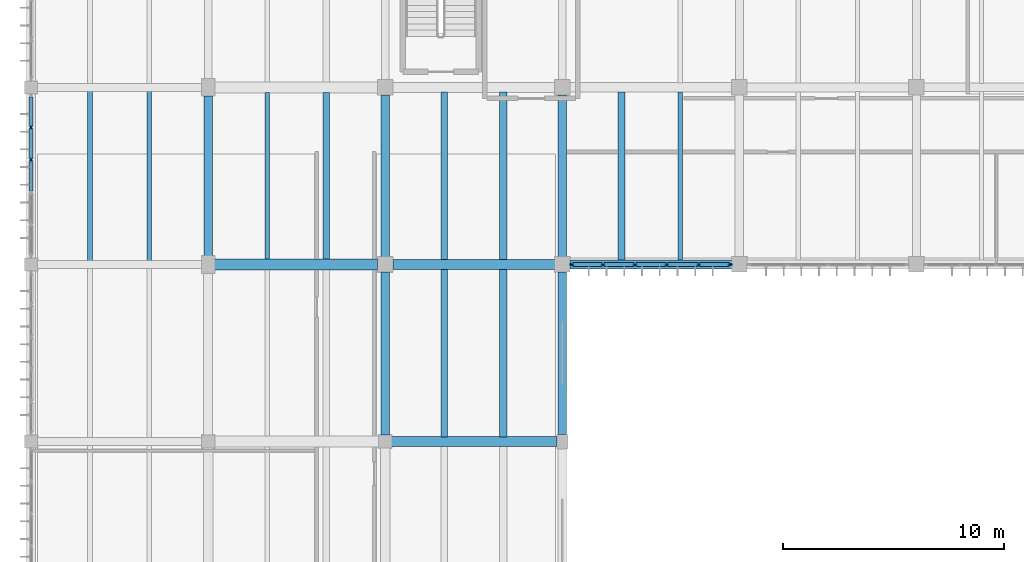
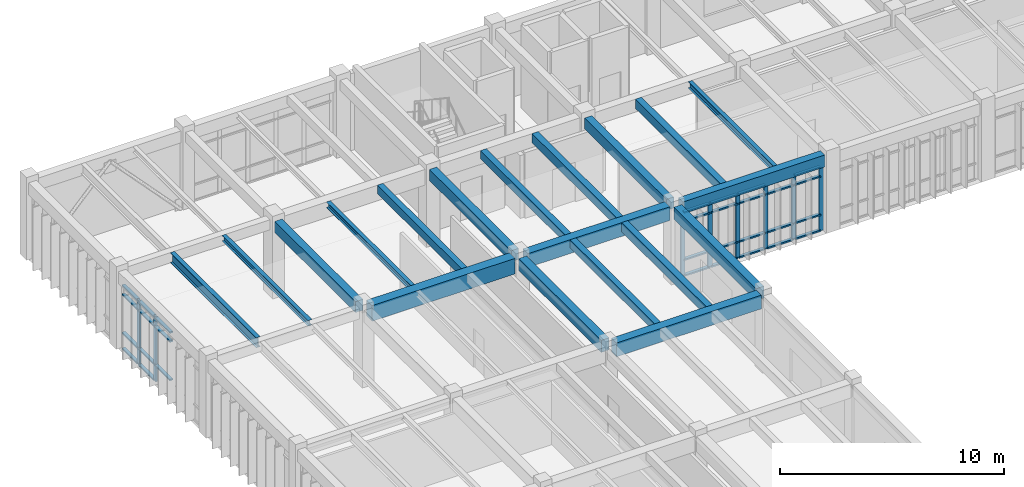
# One storey, part 7 of 72: 39 members, 19 beams, 2 elements without a shape of their own.
"""IFC4 building model written with IfcOpenShell, lengths in metres."""

from ifc_helpers import new_model, si_unit, direction, frame, origin, origin_2d, place, context, subcontext, project, spatial, rectangle, i_section, extrude, material, material_profile, profile_set, type_object, element, aggregate, save


model = new_model("IFC4")

# Units and contexts
model_context = context("Model", 3, precision=1e-05, world=origin(), true_north=direction((0.0, 1.0)))
body_context = subcontext(model_context, "Body", "Model", "MODEL_VIEW")
ifc_project = project(units=[si_unit("LENGTHUNIT", "METRE"), si_unit("AREAUNIT", "SQUARE_METRE"), si_unit("VOLUMEUNIT", "CUBIC_METRE"), si_unit("PLANEANGLEUNIT", "RADIAN"), si_unit("MASSUNIT", "GRAM", prefix="KILO")], contexts=[model_context])

# Site, building, storey
site_placement = place(None, origin())
site = spatial("IfcSite", under=ifc_project, at=site_placement, CompositionType="ELEMENT")
building_placement = place(site_placement, origin())
building = spatial("IfcBuilding", under=site, at=building_placement, Name="Tlaxcora Railside Police Headquarters", CompositionType="ELEMENT")
storey_placement = place(building_placement, frame((0.0, 0.0, 13.5)))
storey = spatial("IfcBuildingStorey", under=building, at=storey_placement, Name="L03", CompositionType="ELEMENT", Elevation=13.5)

# Curtain wall, members
ifc_material_1 = material(Name="Thermally broken low-E insulated glazing", Category="glass")
curtain_wall_type = type_object("IfcCurtainWallType", Name="Unitised Curtain Wall Assembly CW-23", PredefinedType="NOTDEFINED", material=ifc_material_1)
curtain_wall_1_placement = place(storey_placement, origin())
curtain_wall_1 = element("IfcCurtainWall", 1, at=curtain_wall_1_placement, inside=storey, type_object=curtain_wall_type, Name="V5 L03 curtain wall 72", PredefinedType="NOTDEFINED")
ifc_material_2 = material(Name="Anodised aluminium framing", Category="aluminium")
ifc_material_profile_1 = material_profile(ifc_material_2, rectangle(XDim=0.080078125, YDim=0.219970703125, at=origin_2d()), Name="AL80X220")
ifc_profile_set_1 = profile_set([ifc_material_profile_1], Name="Anodised aluminium framing")
member_type_1 = type_object("IfcMemberType", Name="Curtain Wall Mullion CW-31", PredefinedType="MULLION", material=ifc_profile_set_1)
member_1_placement = place(storey_placement, frame((29.639892578125, 76.800048828125, 0.0), z_axis=(0.0, 0.0, 1.0), x_axis=(0.0, 1.0, 0.0)))
member_1 = element("IfcMember", 2, at=member_1_placement, type_object=member_type_1, Name="CW mullion 1", PredefinedType="MULLION", context=body_context, shape_type="SweptSolid", body=[
    extrude(rectangle(XDim=0.080078125, YDim=0.219970703125, at=origin_2d()), origin(), (0.0, 0.0, 1.0), 3.52001953125),
])
member_2_placement = place(storey_placement, frame((31.0400390625, 76.800048828125, 0.0), z_axis=(0.0, 0.0, 1.0), x_axis=(0.0, 1.0, 0.0)))
member_2 = element("IfcMember", 3, at=member_2_placement, type_object=member_type_1, Name="CW mullion 2", PredefinedType="MULLION", context=body_context, shape_type="SweptSolid", body=[
    extrude(rectangle(XDim=0.080078125, YDim=0.219970703125, at=origin_2d()), origin(), (0.0, 0.0, 1.0), 3.52001953125),
])
member_3_placement = place(storey_placement, frame((32.47998046875, 76.800048828125, 0.0), z_axis=(0.0, 0.0, 1.0), x_axis=(0.0, 1.0, 0.0)))
member_3 = element("IfcMember", 4, at=member_3_placement, type_object=member_type_1, Name="CW mullion 3", PredefinedType="MULLION", context=body_context, shape_type="SweptSolid", body=[
    extrude(rectangle(XDim=0.080078125, YDim=0.219970703125, at=origin_2d()), origin(), (0.0, 0.0, 1.0), 3.52001953125),
])
member_4_placement = place(storey_placement, frame((33.919921875, 76.800048828125, 0.0), z_axis=(0.0, 0.0, 1.0), x_axis=(0.0, 1.0, 0.0)))
member_4 = element("IfcMember", 5, at=member_4_placement, type_object=member_type_1, Name="CW mullion 4", PredefinedType="MULLION", context=body_context, shape_type="SweptSolid", body=[
    extrude(rectangle(XDim=0.080078125, YDim=0.219970703125, at=origin_2d()), origin(), (0.0, 0.0, 1.0), 3.52001953125),
])
member_5_placement = place(storey_placement, frame((35.360107421875, 76.800048828125, 0.0), z_axis=(0.0, 0.0, 1.0), x_axis=(0.0, 1.0, 0.0)))
member_5 = element("IfcMember", 6, at=member_5_placement, type_object=member_type_1, Name="CW mullion 5", PredefinedType="MULLION", context=body_context, shape_type="SweptSolid", body=[
    extrude(rectangle(XDim=0.080078125, YDim=0.219970703125, at=origin_2d()), origin(), (0.0, 0.0, 1.0), 3.52001953125),
])
member_6_placement = place(storey_placement, frame((36.760009765625, 76.800048828125, 0.0), z_axis=(0.0, 0.0, 1.0), x_axis=(0.0, 1.0, 0.0)))
member_6 = element("IfcMember", 7, at=member_6_placement, type_object=member_type_1, Name="CW mullion 6", PredefinedType="MULLION", context=body_context, shape_type="SweptSolid", body=[
    extrude(rectangle(XDim=0.080078125, YDim=0.219970703125, at=origin_2d()), origin(), (0.0, 0.0, 1.0), 3.52001953125),
])

curtain_wall_2_placement = place(storey_placement, origin())
curtain_wall_2 = element("IfcCurtainWall", 8, at=curtain_wall_2_placement, inside=storey, type_object=curtain_wall_type, Name="V5 L03 curtain wall 84", PredefinedType="NOTDEFINED")
member_7_placement = place(storey_placement, frame((5.199951171875, 82.989990234375, 0.0), z_axis=(0.0, 0.0, 1.0), x_axis=(1.0, 0.0, 0.0)))
member_7 = element("IfcMember", 9, at=member_7_placement, type_object=member_type_1, Name="CW mullion 2", PredefinedType="MULLION", context=body_context, shape_type="SweptSolid", body=[
    extrude(rectangle(XDim=0.080078125, YDim=0.219970703125, at=origin_2d()), origin(), (0.0, 0.0, 1.0), 3.52001953125),
])
member_8_placement = place(storey_placement, frame((5.199951171875, 81.530029296875, 0.0), z_axis=(0.0, 0.0, 1.0), x_axis=(1.0, 0.0, 0.0)))
member_8 = element("IfcMember", 10, at=member_8_placement, type_object=member_type_1, Name="CW mullion 3", PredefinedType="MULLION", context=body_context, shape_type="SweptSolid", body=[
    extrude(rectangle(XDim=0.080078125, YDim=0.219970703125, at=origin_2d()), origin(), (0.0, 0.0, 1.0), 3.52001953125),
])

# Member
ifc_material_profile_2 = material_profile(ifc_material_2, rectangle(XDim=0.1650390625, YDim=0.080078125, at=origin_2d()), Name="AL80X165")
ifc_profile_set_2 = profile_set([ifc_material_profile_2], Name="Anodised aluminium framing")
member_type_2 = type_object("IfcMemberType", Name="Curtain Wall Transom CW-62", PredefinedType="USERDEFINED", material=ifc_profile_set_2)
member_9_placement = place(storey_placement, frame((29.679931640625, 76.800048828125, 0.0400390625), z_axis=(1.0, 0.0, 0.0), x_axis=(0.0, 1.0, 0.0)))
member_9 = element("IfcMember", 11, at=member_9_placement, type_object=member_type_2, Name="CW transom 1.1", ObjectType="TRANSOM", PredefinedType="USERDEFINED", context=body_context, shape_type="SweptSolid", body=[
    extrude(rectangle(XDim=0.1650390625, YDim=0.080078125, at=origin_2d()), origin(), (0.0, 0.0, 1.0), 1.320068359375),
])

member_10_placement = place(storey_placement, frame((29.679931640625, 76.800048828125, 0.89990234375), z_axis=(1.0, 0.0, 0.0), x_axis=(0.0, 1.0, 0.0)))
member_10 = element("IfcMember", 12, at=member_10_placement, type_object=member_type_2, Name="CW transom 1.2", ObjectType="TRANSOM", PredefinedType="USERDEFINED", context=body_context, shape_type="SweptSolid", body=[
    extrude(rectangle(XDim=0.1650390625, YDim=0.080078125, at=origin_2d()), origin(), (0.0, 0.0, 1.0), 1.320068359375),
])

member_11_placement = place(storey_placement, frame((29.679931640625, 76.800048828125, 2.989990234375), z_axis=(1.0, 0.0, 0.0), x_axis=(0.0, 1.0, 0.0)))
member_11 = element("IfcMember", 13, at=member_11_placement, type_object=member_type_2, Name="CW transom 1.3", ObjectType="TRANSOM", PredefinedType="USERDEFINED", context=body_context, shape_type="SweptSolid", body=[
    extrude(rectangle(XDim=0.1650390625, YDim=0.080078125, at=origin_2d()), origin(), (0.0, 0.0, 1.0), 1.320068359375),
])

member_12_placement = place(storey_placement, frame((29.679931640625, 76.800048828125, 3.47998046875), z_axis=(1.0, 0.0, 0.0), x_axis=(0.0, 1.0, 0.0)))
member_12 = element("IfcMember", 14, at=member_12_placement, type_object=member_type_2, Name="CW transom 1.4", ObjectType="TRANSOM", PredefinedType="USERDEFINED", context=body_context, shape_type="SweptSolid", body=[
    extrude(rectangle(XDim=0.1650390625, YDim=0.080078125, at=origin_2d()), origin(), (0.0, 0.0, 1.0), 1.320068359375),
])

member_13_placement = place(storey_placement, frame((31.080078125, 76.800048828125, 0.0400390625), z_axis=(1.0, 0.0, 0.0), x_axis=(0.0, 1.0, 0.0)))
member_13 = element("IfcMember", 15, at=member_13_placement, type_object=member_type_2, Name="CW transom 2.1", ObjectType="TRANSOM", PredefinedType="USERDEFINED", context=body_context, shape_type="SweptSolid", body=[
    extrude(rectangle(XDim=0.1650390625, YDim=0.080078125, at=origin_2d()), origin(), (0.0, 0.0, 1.0), 1.35986328125),
])

member_14_placement = place(storey_placement, frame((31.080078125, 76.800048828125, 0.89990234375), z_axis=(1.0, 0.0, 0.0), x_axis=(0.0, 1.0, 0.0)))
member_14 = element("IfcMember", 16, at=member_14_placement, type_object=member_type_2, Name="CW transom 2.2", ObjectType="TRANSOM", PredefinedType="USERDEFINED", context=body_context, shape_type="SweptSolid", body=[
    extrude(rectangle(XDim=0.1650390625, YDim=0.080078125, at=origin_2d()), origin(), (0.0, 0.0, 1.0), 1.35986328125),
])

member_15_placement = place(storey_placement, frame((31.080078125, 76.800048828125, 2.989990234375), z_axis=(1.0, 0.0, 0.0), x_axis=(0.0, 1.0, 0.0)))
member_15 = element("IfcMember", 17, at=member_15_placement, type_object=member_type_2, Name="CW transom 2.3", ObjectType="TRANSOM", PredefinedType="USERDEFINED", context=body_context, shape_type="SweptSolid", body=[
    extrude(rectangle(XDim=0.1650390625, YDim=0.080078125, at=origin_2d()), origin(), (0.0, 0.0, 1.0), 1.35986328125),
])

member_16_placement = place(storey_placement, frame((31.080078125, 76.800048828125, 3.47998046875), z_axis=(1.0, 0.0, 0.0), x_axis=(0.0, 1.0, 0.0)))
member_16 = element("IfcMember", 18, at=member_16_placement, type_object=member_type_2, Name="CW transom 2.4", ObjectType="TRANSOM", PredefinedType="USERDEFINED", context=body_context, shape_type="SweptSolid", body=[
    extrude(rectangle(XDim=0.1650390625, YDim=0.080078125, at=origin_2d()), origin(), (0.0, 0.0, 1.0), 1.35986328125),
])

member_17_placement = place(storey_placement, frame((32.52001953125, 76.800048828125, 0.0400390625), z_axis=(1.0, 0.0, 0.0), x_axis=(0.0, 1.0, 0.0)))
member_17 = element("IfcMember", 19, at=member_17_placement, type_object=member_type_2, Name="CW transom 3.1", ObjectType="TRANSOM", PredefinedType="USERDEFINED", context=body_context, shape_type="SweptSolid", body=[
    extrude(rectangle(XDim=0.1650390625, YDim=0.080078125, at=origin_2d()), origin(), (0.0, 0.0, 1.0), 1.35986328125),
])

member_18_placement = place(storey_placement, frame((32.52001953125, 76.800048828125, 0.89990234375), z_axis=(1.0, 0.0, 0.0), x_axis=(0.0, 1.0, 0.0)))
member_18 = element("IfcMember", 20, at=member_18_placement, type_object=member_type_2, Name="CW transom 3.2", ObjectType="TRANSOM", PredefinedType="USERDEFINED", context=body_context, shape_type="SweptSolid", body=[
    extrude(rectangle(XDim=0.1650390625, YDim=0.080078125, at=origin_2d()), origin(), (0.0, 0.0, 1.0), 1.35986328125),
])

member_19_placement = place(storey_placement, frame((32.52001953125, 76.800048828125, 2.989990234375), z_axis=(1.0, 0.0, 0.0), x_axis=(0.0, 1.0, 0.0)))
member_19 = element("IfcMember", 21, at=member_19_placement, type_object=member_type_2, Name="CW transom 3.3", ObjectType="TRANSOM", PredefinedType="USERDEFINED", context=body_context, shape_type="SweptSolid", body=[
    extrude(rectangle(XDim=0.1650390625, YDim=0.080078125, at=origin_2d()), origin(), (0.0, 0.0, 1.0), 1.35986328125),
])

member_20_placement = place(storey_placement, frame((32.52001953125, 76.800048828125, 3.47998046875), z_axis=(1.0, 0.0, 0.0), x_axis=(0.0, 1.0, 0.0)))
member_20 = element("IfcMember", 22, at=member_20_placement, type_object=member_type_2, Name="CW transom 3.4", ObjectType="TRANSOM", PredefinedType="USERDEFINED", context=body_context, shape_type="SweptSolid", body=[
    extrude(rectangle(XDim=0.1650390625, YDim=0.080078125, at=origin_2d()), origin(), (0.0, 0.0, 1.0), 1.35986328125),
])

member_21_placement = place(storey_placement, frame((33.9599609375, 76.800048828125, 0.0400390625), z_axis=(1.0, 0.0, 0.0), x_axis=(0.0, 1.0, 0.0)))
member_21 = element("IfcMember", 23, at=member_21_placement, type_object=member_type_2, Name="CW transom 4.1", ObjectType="TRANSOM", PredefinedType="USERDEFINED", context=body_context, shape_type="SweptSolid", body=[
    extrude(rectangle(XDim=0.1650390625, YDim=0.080078125, at=origin_2d()), origin(), (0.0, 0.0, 1.0), 1.360107421875),
])

member_22_placement = place(storey_placement, frame((33.9599609375, 76.800048828125, 0.89990234375), z_axis=(1.0, 0.0, 0.0), x_axis=(0.0, 1.0, 0.0)))
member_22 = element("IfcMember", 24, at=member_22_placement, type_object=member_type_2, Name="CW transom 4.2", ObjectType="TRANSOM", PredefinedType="USERDEFINED", context=body_context, shape_type="SweptSolid", body=[
    extrude(rectangle(XDim=0.1650390625, YDim=0.080078125, at=origin_2d()), origin(), (0.0, 0.0, 1.0), 1.360107421875),
])

member_23_placement = place(storey_placement, frame((33.9599609375, 76.800048828125, 2.989990234375), z_axis=(1.0, 0.0, 0.0), x_axis=(0.0, 1.0, 0.0)))
member_23 = element("IfcMember", 25, at=member_23_placement, type_object=member_type_2, Name="CW transom 4.3", ObjectType="TRANSOM", PredefinedType="USERDEFINED", context=body_context, shape_type="SweptSolid", body=[
    extrude(rectangle(XDim=0.1650390625, YDim=0.080078125, at=origin_2d()), origin(), (0.0, 0.0, 1.0), 1.360107421875),
])

member_24_placement = place(storey_placement, frame((33.9599609375, 76.800048828125, 3.47998046875), z_axis=(1.0, 0.0, 0.0), x_axis=(0.0, 1.0, 0.0)))
member_24 = element("IfcMember", 26, at=member_24_placement, type_object=member_type_2, Name="CW transom 4.4", ObjectType="TRANSOM", PredefinedType="USERDEFINED", context=body_context, shape_type="SweptSolid", body=[
    extrude(rectangle(XDim=0.1650390625, YDim=0.080078125, at=origin_2d()), origin(), (0.0, 0.0, 1.0), 1.360107421875),
])

member_25_placement = place(storey_placement, frame((35.39990234375, 76.800048828125, 0.0400390625), z_axis=(1.0, 0.0, 0.0), x_axis=(0.0, 1.0, 0.0)))
member_25 = element("IfcMember", 27, at=member_25_placement, type_object=member_type_2, Name="CW transom 5.1", ObjectType="TRANSOM", PredefinedType="USERDEFINED", context=body_context, shape_type="SweptSolid", body=[
    extrude(rectangle(XDim=0.1650390625, YDim=0.080078125, at=origin_2d()), origin(), (0.0, 0.0, 1.0), 1.320068359375),
])

member_26_placement = place(storey_placement, frame((35.39990234375, 76.800048828125, 0.89990234375), z_axis=(1.0, 0.0, 0.0), x_axis=(0.0, 1.0, 0.0)))
member_26 = element("IfcMember", 28, at=member_26_placement, type_object=member_type_2, Name="CW transom 5.2", ObjectType="TRANSOM", PredefinedType="USERDEFINED", context=body_context, shape_type="SweptSolid", body=[
    extrude(rectangle(XDim=0.1650390625, YDim=0.080078125, at=origin_2d()), origin(), (0.0, 0.0, 1.0), 1.320068359375),
])

member_27_placement = place(storey_placement, frame((35.39990234375, 76.800048828125, 2.989990234375), z_axis=(1.0, 0.0, 0.0), x_axis=(0.0, 1.0, 0.0)))
member_27 = element("IfcMember", 29, at=member_27_placement, type_object=member_type_2, Name="CW transom 5.3", ObjectType="TRANSOM", PredefinedType="USERDEFINED", context=body_context, shape_type="SweptSolid", body=[
    extrude(rectangle(XDim=0.1650390625, YDim=0.080078125, at=origin_2d()), origin(), (0.0, 0.0, 1.0), 1.320068359375),
])

member_28_placement = place(storey_placement, frame((35.39990234375, 76.800048828125, 3.47998046875), z_axis=(1.0, 0.0, 0.0), x_axis=(0.0, 1.0, 0.0)))
member_28 = element("IfcMember", 30, at=member_28_placement, type_object=member_type_2, Name="CW transom 5.4", ObjectType="TRANSOM", PredefinedType="USERDEFINED", context=body_context, shape_type="SweptSolid", body=[
    extrude(rectangle(XDim=0.1650390625, YDim=0.080078125, at=origin_2d()), origin(), (0.0, 0.0, 1.0), 1.320068359375),
])

aggregate(curtain_wall_1, [member_1, member_2, member_3, member_4, member_5, member_6, member_9, member_10, member_11, member_12, member_13, member_14, member_15, member_16, member_17, member_18, member_19, member_20, member_21, member_22, member_23, member_24, member_25, member_26, member_27, member_28])

member_29_placement = place(storey_placement, frame((5.199951171875, 84.3701171875, 0.0400390625), z_axis=(0.0, -1.0, 0.0), x_axis=(1.0, 0.0, 0.0)))
member_29 = element("IfcMember", 31, at=member_29_placement, type_object=member_type_2, Name="CW transom 1.1", ObjectType="TRANSOM", PredefinedType="USERDEFINED", context=body_context, shape_type="SweptSolid", body=[
    extrude(rectangle(XDim=0.1650390625, YDim=0.080078125, at=origin_2d()), origin(), (0.0, 0.0, 1.0), 1.340087890625),
])

member_30_placement = place(storey_placement, frame((5.199951171875, 84.3701171875, 0.89990234375), z_axis=(0.0, -1.0, 0.0), x_axis=(1.0, 0.0, 0.0)))
member_30 = element("IfcMember", 32, at=member_30_placement, type_object=member_type_2, Name="CW transom 1.2", ObjectType="TRANSOM", PredefinedType="USERDEFINED", context=body_context, shape_type="SweptSolid", body=[
    extrude(rectangle(XDim=0.1650390625, YDim=0.080078125, at=origin_2d()), origin(), (0.0, 0.0, 1.0), 1.340087890625),
])

member_31_placement = place(storey_placement, frame((5.199951171875, 84.3701171875, 2.989990234375), z_axis=(0.0, -1.0, 0.0), x_axis=(1.0, 0.0, 0.0)))
member_31 = element("IfcMember", 33, at=member_31_placement, type_object=member_type_2, Name="CW transom 1.3", ObjectType="TRANSOM", PredefinedType="USERDEFINED", context=body_context, shape_type="SweptSolid", body=[
    extrude(rectangle(XDim=0.1650390625, YDim=0.080078125, at=origin_2d()), origin(), (0.0, 0.0, 1.0), 1.340087890625),
])

member_32_placement = place(storey_placement, frame((5.199951171875, 84.3701171875, 3.47998046875), z_axis=(0.0, -1.0, 0.0), x_axis=(1.0, 0.0, 0.0)))
member_32 = element("IfcMember", 34, at=member_32_placement, type_object=member_type_2, Name="CW transom 1.4", ObjectType="TRANSOM", PredefinedType="USERDEFINED", context=body_context, shape_type="SweptSolid", body=[
    extrude(rectangle(XDim=0.1650390625, YDim=0.080078125, at=origin_2d()), origin(), (0.0, 0.0, 1.0), 1.340087890625),
])

member_33_placement = place(storey_placement, frame((5.199951171875, 82.949951171875, 0.0400390625), z_axis=(0.0, -1.0, 0.0), x_axis=(1.0, 0.0, 0.0)))
member_33 = element("IfcMember", 35, at=member_33_placement, type_object=member_type_2, Name="CW transom 2.1", ObjectType="TRANSOM", PredefinedType="USERDEFINED", context=body_context, shape_type="SweptSolid", body=[
    extrude(rectangle(XDim=0.1650390625, YDim=0.080078125, at=origin_2d()), origin(), (0.0, 0.0, 1.0), 1.3798828125),
])

member_34_placement = place(storey_placement, frame((5.199951171875, 82.949951171875, 0.89990234375), z_axis=(0.0, -1.0, 0.0), x_axis=(1.0, 0.0, 0.0)))
member_34 = element("IfcMember", 36, at=member_34_placement, type_object=member_type_2, Name="CW transom 2.2", ObjectType="TRANSOM", PredefinedType="USERDEFINED", context=body_context, shape_type="SweptSolid", body=[
    extrude(rectangle(XDim=0.1650390625, YDim=0.080078125, at=origin_2d()), origin(), (0.0, 0.0, 1.0), 1.3798828125),
])

member_35_placement = place(storey_placement, frame((5.199951171875, 82.949951171875, 2.989990234375), z_axis=(0.0, -1.0, 0.0), x_axis=(1.0, 0.0, 0.0)))
member_35 = element("IfcMember", 37, at=member_35_placement, type_object=member_type_2, Name="CW transom 2.3", ObjectType="TRANSOM", PredefinedType="USERDEFINED", context=body_context, shape_type="SweptSolid", body=[
    extrude(rectangle(XDim=0.1650390625, YDim=0.080078125, at=origin_2d()), origin(), (0.0, 0.0, 1.0), 1.3798828125),
])

member_36_placement = place(storey_placement, frame((5.199951171875, 82.949951171875, 3.47998046875), z_axis=(0.0, -1.0, 0.0), x_axis=(1.0, 0.0, 0.0)))
member_36 = element("IfcMember", 38, at=member_36_placement, type_object=member_type_2, Name="CW transom 2.4", ObjectType="TRANSOM", PredefinedType="USERDEFINED", context=body_context, shape_type="SweptSolid", body=[
    extrude(rectangle(XDim=0.1650390625, YDim=0.080078125, at=origin_2d()), origin(), (0.0, 0.0, 1.0), 1.3798828125),
])

member_37_placement = place(storey_placement, frame((5.199951171875, 81.489990234375, 0.89990234375), z_axis=(0.0, -1.0, 0.0), x_axis=(1.0, 0.0, 0.0)))
member_37 = element("IfcMember", 39, at=member_37_placement, type_object=member_type_2, Name="CW transom 3.2", ObjectType="TRANSOM", PredefinedType="USERDEFINED", context=body_context, shape_type="SweptSolid", body=[
    extrude(rectangle(XDim=0.1650390625, YDim=0.080078125, at=origin_2d()), origin(), (0.0, 0.0, 1.0), 1.3798828125),
])

member_38_placement = place(storey_placement, frame((5.199951171875, 81.489990234375, 2.989990234375), z_axis=(0.0, -1.0, 0.0), x_axis=(1.0, 0.0, 0.0)))
member_38 = element("IfcMember", 40, at=member_38_placement, type_object=member_type_2, Name="CW transom 3.3", ObjectType="TRANSOM", PredefinedType="USERDEFINED", context=body_context, shape_type="SweptSolid", body=[
    extrude(rectangle(XDim=0.1650390625, YDim=0.080078125, at=origin_2d()), origin(), (0.0, 0.0, 1.0), 1.3798828125),
])

member_39_placement = place(storey_placement, frame((5.199951171875, 81.489990234375, 3.47998046875), z_axis=(0.0, -1.0, 0.0), x_axis=(1.0, 0.0, 0.0)))
member_39 = element("IfcMember", 41, at=member_39_placement, type_object=member_type_2, Name="CW transom 3.4", ObjectType="TRANSOM", PredefinedType="USERDEFINED", context=body_context, shape_type="SweptSolid", body=[
    extrude(rectangle(XDim=0.1650390625, YDim=0.080078125, at=origin_2d()), origin(), (0.0, 0.0, 1.0), 1.3798828125),
])

aggregate(curtain_wall_2, [member_7, member_8, member_29, member_30, member_31, member_32, member_33, member_34, member_35, member_36, member_37, member_38, member_39])

# Beams
ifc_material_3 = material(Name="Concrete C40/50", Category="concrete")
ifc_material_profile_3 = material_profile(ifc_material_3, rectangle(XDim=0.39990234375, YDim=0.64990234375, at=origin_2d()), Name="RC400X650")
ifc_profile_set_3 = profile_set([ifc_material_profile_3], Name="Concrete C40/50")
beam_type_1 = type_object("IfcBeamType", Name="Perimeter Spandrel Beam BM-46", PredefinedType="SPANDREL", material=ifc_profile_set_3)
beam_1_placement = place(storey_placement, frame((29.5400390625, 76.800048828125, 3.864990234375), z_axis=(1.0, 0.0, 0.0), x_axis=(0.0, 1.0, 0.0)))
element("IfcBeam", 42, at=beam_1_placement, inside=storey, type_object=beam_type_1, Name="V5 L03 X-girder Y=76.8", PredefinedType="SPANDREL", context=body_context, shape_type="SweptSolid", body=[
    extrude(rectangle(XDim=0.39990234375, YDim=0.64990234375, at=origin_2d()), origin(), (0.0, 0.0, 1.0), 7.320068359375),
])
beam_2_placement = place(storey_placement, frame((29.199951171875, 69.114990234375, 3.864990234375), z_axis=(0.0, 1.0, 0.0), x_axis=(-1.0, 0.0, 0.0)))
element("IfcBeam", 43, at=beam_2_placement, inside=storey, type_object=beam_type_1, Name="V5 L03 Y-girder X=29.2", PredefinedType="SPANDREL", context=body_context, shape_type="SweptSolid", body=[
    extrude(rectangle(XDim=0.39990234375, YDim=0.64990234375, at=origin_2d()), origin(), (0.0, 0.0, 1.0), 7.344970703125),
])
ifc_material_profile_4 = material_profile(ifc_material_3, rectangle(XDim=0.3798828125, YDim=0.60009765625, at=origin_2d()), Name="RC380X600")
ifc_profile_set_4 = profile_set([ifc_material_profile_4], Name="Concrete C40/50")
beam_type_2 = type_object("IfcBeamType", Name="Primary Frame Girder BM-22", PredefinedType="BEAM", material=ifc_profile_set_4)
beam_3_placement = place(storey_placement, frame((13.199951171875, 77.18994140625, 3.889892578125), z_axis=(0.0, 1.0, 0.0), x_axis=(-1.0, 0.0, 0.0)))
element("IfcBeam", 44, at=beam_3_placement, inside=storey, type_object=beam_type_2, Name="V5 L03 Y-girder X=13.2", PredefinedType="BEAM", context=body_context, shape_type="SweptSolid", body=[
    extrude(rectangle(XDim=0.3798828125, YDim=0.60009765625, at=origin_2d()), origin(), (0.0, 0.0, 1.0), 7.219970703125),
])
for number, where, z_axis, x_axis, name in (
    (45, (21.199951171875, 77.139892578125, 3.889892578125), (0.0, 1.0, 0.0), (-1.0, 0.0, 0.0), "V5 L03 Y-girder X=21.2"),
    (46, (29.199951171875, 77.139892578125, 3.889892578125), (0.0, 1.0, 0.0), (-1.0, 0.0, 0.0), "V5 L03 Y-girder X=29.2"),
):
    element("IfcBeam", number, at=place(storey_placement, frame(where, z_axis=z_axis, x_axis=x_axis)), inside=storey, type_object=beam_type_2, Name=name, PredefinedType="BEAM", context=body_context, shape_type="SweptSolid", body=[
        extrude(rectangle(XDim=0.3798828125, YDim=0.60009765625, at=origin_2d()), origin(), (0.0, 0.0, 1.0), 7.320068359375),
    ])
ifc_material_profile_5 = material_profile(ifc_material_3, rectangle(XDim=0.39990234375, YDim=0.64990234375, at=origin_2d()), Name="RC400X650")
ifc_profile_set_5 = profile_set([ifc_material_profile_5], Name="Concrete C40/50")
beam_type_3 = type_object("IfcBeamType", Name="Primary Frame Girder BM-41", PredefinedType="BEAM", material=ifc_profile_set_5)
beam_4_placement = place(storey_placement, frame((21.199951171875, 69.090087890625, 3.864990234375), z_axis=(0.0, 1.0, 0.0), x_axis=(-1.0, 0.0, 0.0)))
element("IfcBeam", 47, at=beam_4_placement, inside=storey, type_object=beam_type_3, Name="V5 L03 Y-girder X=21.2", PredefinedType="BEAM", context=body_context, shape_type="SweptSolid", body=[
    extrude(rectangle(XDim=0.39990234375, YDim=0.64990234375, at=origin_2d()), origin(), (0.0, 0.0, 1.0), 7.369873046875),
])
ifc_material_profile_6 = material_profile(ifc_material_3, rectangle(XDim=0.5, YDim=0.85009765625, at=origin_2d()), Name="RC500X850")
ifc_profile_set_6 = profile_set([ifc_material_profile_6], Name="Concrete C40/50")
beam_type_4 = type_object("IfcBeamType", Name="Primary Frame Girder BM-64", PredefinedType="BEAM", material=ifc_profile_set_6)
beam_5_placement = place(storey_placement, frame((13.489990234375, 76.800048828125, 3.764892578125), z_axis=(1.0, 0.0, 0.0), x_axis=(0.0, 1.0, 0.0)))
element("IfcBeam", 48, at=beam_5_placement, inside=storey, type_object=beam_type_4, Name="V5 L03 X-girder Y=76.8", PredefinedType="BEAM", context=body_context, shape_type="SweptSolid", body=[
    extrude(rectangle(XDim=0.5, YDim=0.85009765625, at=origin_2d()), origin(), (0.0, 0.0, 1.0), 7.3701171875),
])
ifc_material_profile_7 = material_profile(ifc_material_3, rectangle(XDim=0.449951171875, YDim=0.75, at=origin_2d()), Name="RC450X750")
ifc_profile_set_7 = profile_set([ifc_material_profile_7], Name="Concrete C40/50")
beam_type_5 = type_object("IfcBeamType", Name="Primary Frame Girder BM-73", PredefinedType="BEAM", material=ifc_profile_set_7)
beam_6_placement = place(storey_placement, frame((21.489990234375, 68.800048828125, 3.81494140625), z_axis=(1.0, 0.0, 0.0), x_axis=(0.0, 1.0, 0.0)))
element("IfcBeam", 49, at=beam_6_placement, inside=storey, type_object=beam_type_5, Name="V5 L03 X-girder Y=68.8", PredefinedType="BEAM", context=body_context, shape_type="SweptSolid", body=[
    extrude(rectangle(XDim=0.449951171875, YDim=0.75, at=origin_2d()), origin(), (0.0, 0.0, 1.0), 7.469970703125),
])
beam_7_placement = place(storey_placement, frame((21.5400390625, 76.800048828125, 3.81494140625), z_axis=(1.0, 0.0, 0.0), x_axis=(0.0, 1.0, 0.0)))
element("IfcBeam", 50, at=beam_7_placement, inside=storey, type_object=beam_type_5, Name="V5 L03 X-girder Y=76.8", PredefinedType="BEAM", context=body_context, shape_type="SweptSolid", body=[
    extrude(rectangle(XDim=0.449951171875, YDim=0.75, at=origin_2d()), origin(), (0.0, 0.0, 1.0), 7.320068359375),
])
ifc_material_4 = material(Name="Concrete C35/45", Category="concrete")
ifc_material_profile_8 = material_profile(ifc_material_4, rectangle(XDim=0.300048828125, YDim=0.449951171875, at=origin_2d()), Name="RC300X450")
ifc_profile_set_8 = profile_set([ifc_material_profile_8], Name="Concrete C35/45")
beam_type_6 = type_object("IfcBeamType", Name="Secondary Floor Joist BM-27", PredefinedType="JOIST", material=ifc_profile_set_8)
beam_8_placement = place(storey_placement, frame((23.86669921875, 69.01708984375, 3.965087890625), z_axis=(0.0, 1.0, 0.0), x_axis=(-1.0, 0.0, 0.0)))
element("IfcBeam", 51, at=beam_8_placement, inside=storey, type_object=beam_type_6, Name="V5 L03 floor joist X=23.87", PredefinedType="JOIST", context=body_context, shape_type="SweptSolid", body=[
    extrude(rectangle(XDim=0.300048828125, YDim=0.449951171875, at=origin_2d()), origin(), (0.0, 0.0, 1.0), 7.56591796875),
])
beam_9_placement = place(storey_placement, frame((18.533203125, 77.0419921875, 3.965087890625), z_axis=(0.0, 1.0, 0.0), x_axis=(-1.0, 0.0, 0.0)))
element("IfcBeam", 52, at=beam_9_placement, inside=storey, type_object=beam_type_6, Name="V5 L03 floor joist X=18.53", PredefinedType="JOIST", context=body_context, shape_type="SweptSolid", body=[
    extrude(rectangle(XDim=0.300048828125, YDim=0.449951171875, at=origin_2d()), origin(), (0.0, 0.0, 1.0), 7.51611328125),
])
beam_10_placement = place(storey_placement, frame((23.86669921875, 77.01708984375, 3.965087890625), z_axis=(0.0, 1.0, 0.0), x_axis=(-1.0, 0.0, 0.0)))
element("IfcBeam", 53, at=beam_10_placement, inside=storey, type_object=beam_type_6, Name="V5 L03 floor joist X=23.87", PredefinedType="JOIST", context=body_context, shape_type="SweptSolid", body=[
    extrude(rectangle(XDim=0.300048828125, YDim=0.449951171875, at=origin_2d()), origin(), (0.0, 0.0, 1.0), 7.56591796875),
])
ifc_material_5 = material(Name="Steel ASTM A992 Grade 50", Category="steel")
ifc_material_profile_9 = material_profile(ifc_material_5, i_section(OverallWidth=0.2041015625, OverallDepth=0.35009765625, WebThickness=0.008544921875, FlangeThickness=0.01513671875, at=origin_2d()), Name="W14X48")
ifc_profile_set_9 = profile_set([ifc_material_profile_9], Name="Steel ASTM A992 Grade 50")
beam_type_7 = type_object("IfcBeamType", Name="Secondary Floor Joist BM-65", PredefinedType="JOIST", material=ifc_profile_set_9)
beam_11_placement = place(storey_placement, frame((34.533203125, 76.991943359375, 4.014892578125), z_axis=(0.0, 1.0, 0.0), x_axis=(-1.0, 0.0, 0.0)))
element("IfcBeam", 54, at=beam_11_placement, inside=storey, type_object=beam_type_7, Name="V5 L03 floor joist X=34.53", PredefinedType="JOIST", context=body_context, shape_type="SweptSolid", body=[
    extrude(i_section(OverallWidth=0.2041015625, OverallDepth=0.35009765625, WebThickness=0.008544921875, FlangeThickness=0.01513671875, at=origin_2d()), origin(), (0.0, 0.0, 1.0), 7.60595703125),
])
ifc_material_profile_10 = material_profile(ifc_material_4, rectangle(XDim=0.320068359375, YDim=0.5, at=origin_2d()), Name="RC320X500")
ifc_profile_set_10 = profile_set([ifc_material_profile_10], Name="Concrete C35/45")
beam_type_8 = type_object("IfcBeamType", Name="Secondary Floor Joist BM-88", PredefinedType="JOIST", material=ifc_profile_set_10)
for number, where, z_axis, x_axis, name in (
    (55, (26.533203125, 69.01708984375, 3.93994140625), (0.0, 1.0, 0.0), (-1.0, 0.0, 0.0), "V5 L03 floor joist X=26.53"),
    (56, (26.533203125, 77.01708984375, 3.93994140625), (0.0, 1.0, 0.0), (-1.0, 0.0, 0.0), "V5 L03 floor joist X=26.53"),
):
    element("IfcBeam", number, at=place(storey_placement, frame(where, z_axis=z_axis, x_axis=x_axis)), inside=storey, type_object=beam_type_8, Name=name, PredefinedType="JOIST", context=body_context, shape_type="SweptSolid", body=[
        extrude(rectangle(XDim=0.320068359375, YDim=0.5, at=origin_2d()), origin(), (0.0, 0.0, 1.0), 7.56591796875),
    ])
beam_12_placement = place(storey_placement, frame((31.86669921875, 76.991943359375, 3.93994140625), z_axis=(0.0, 1.0, 0.0), x_axis=(-1.0, 0.0, 0.0)))
element("IfcBeam", 57, at=beam_12_placement, inside=storey, type_object=beam_type_8, Name="V5 L03 floor joist X=31.87", PredefinedType="JOIST", context=body_context, shape_type="SweptSolid", body=[
    extrude(rectangle(XDim=0.320068359375, YDim=0.5, at=origin_2d()), origin(), (0.0, 0.0, 1.0), 7.60595703125),
])
ifc_material_profile_11 = material_profile(ifc_material_5, i_section(OverallWidth=0.202880859375, OverallDepth=0.302978515625, WebThickness=0.007568359375, FlangeThickness=0.01318359375, at=origin_2d()), Name="W12X40")
ifc_profile_set_11 = profile_set([ifc_material_profile_11], Name="Steel ASTM A992 Grade 50")
beam_type_9 = type_object("IfcBeamType", Name="Secondary Floor Joist BM-96", PredefinedType="JOIST", material=ifc_profile_set_11)
beam_13_placement = place(storey_placement, frame((10.533203125, 76.967041015625, 4.03857421875), z_axis=(0.0, 1.0, 0.0), x_axis=(-1.0, 0.0, 0.0)))
element("IfcBeam", 58, at=beam_13_placement, inside=storey, type_object=beam_type_9, Name="V5 L03 floor joist X=10.53", PredefinedType="JOIST", context=body_context, shape_type="SweptSolid", body=[
    extrude(i_section(OverallWidth=0.202880859375, OverallDepth=0.302978515625, WebThickness=0.007568359375, FlangeThickness=0.01318359375, at=origin_2d()), origin(), (0.0, 0.0, 1.0), 7.666015625),
])
beam_14_placement = place(storey_placement, frame((15.86669921875, 77.0419921875, 4.03857421875), z_axis=(0.0, 1.0, 0.0), x_axis=(-1.0, 0.0, 0.0)))
element("IfcBeam", 59, at=beam_14_placement, inside=storey, type_object=beam_type_9, Name="V5 L03 floor joist X=15.87", PredefinedType="JOIST", context=body_context, shape_type="SweptSolid", body=[
    extrude(i_section(OverallWidth=0.202880859375, OverallDepth=0.302978515625, WebThickness=0.007568359375, FlangeThickness=0.01318359375, at=origin_2d()), origin(), (0.0, 0.0, 1.0), 7.51611328125),
])
ifc_material_profile_12 = material_profile(ifc_material_5, i_section(OverallWidth=0.214111328125, OverallDepth=0.549072265625, WebThickness=0.0146484375, FlangeThickness=0.023681640625, at=origin_2d()), Name="W21X93")
ifc_profile_set_12 = profile_set([ifc_material_profile_12], Name="Steel ASTM A992 Grade 50")
beam_type_10 = type_object("IfcBeamType", Name="Secondary Floor Joist BM-97", PredefinedType="JOIST", material=ifc_profile_set_12)
beam_15_placement = place(storey_placement, frame((7.86669921875, 76.967041015625, 3.91552734375), z_axis=(0.0, 1.0, 0.0), x_axis=(-1.0, 0.0, 0.0)))
element("IfcBeam", 60, at=beam_15_placement, inside=storey, type_object=beam_type_10, Name="V5 L03 floor joist X=7.87", PredefinedType="JOIST", context=body_context, shape_type="SweptSolid", body=[
    extrude(i_section(OverallWidth=0.214111328125, OverallDepth=0.549072265625, WebThickness=0.0146484375, FlangeThickness=0.023681640625, at=origin_2d()), origin(), (0.0, 0.0, 1.0), 7.666015625),
])

save(model, "model.ifc")
